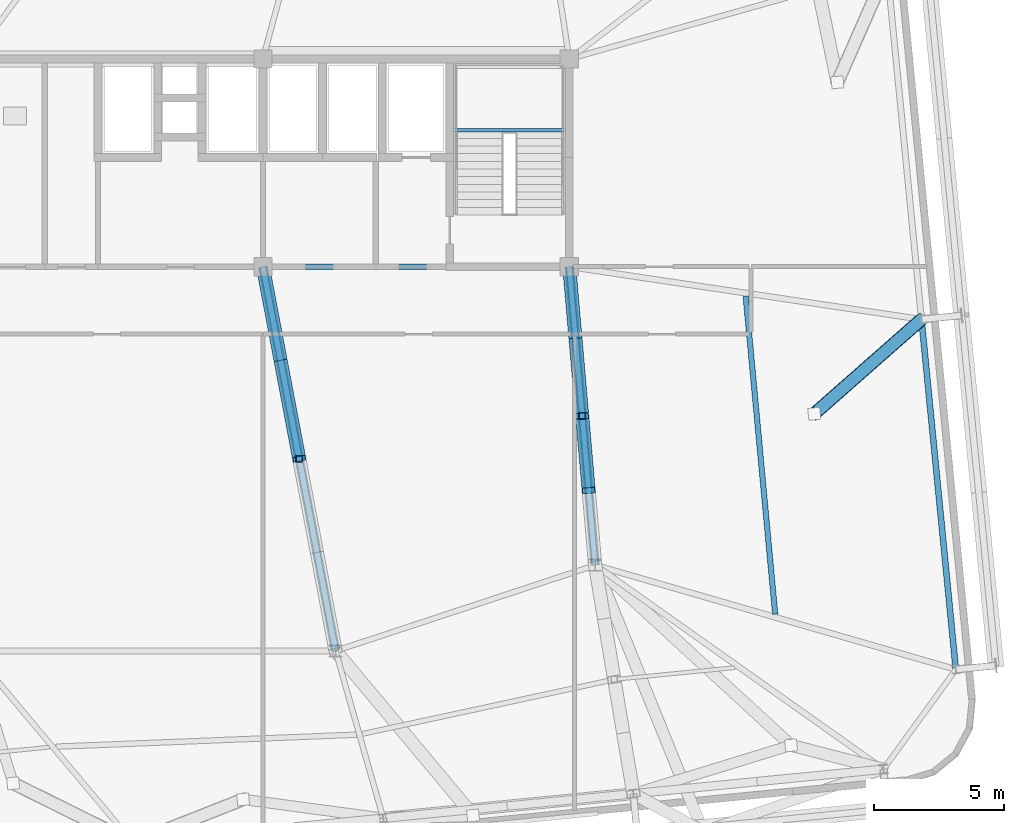
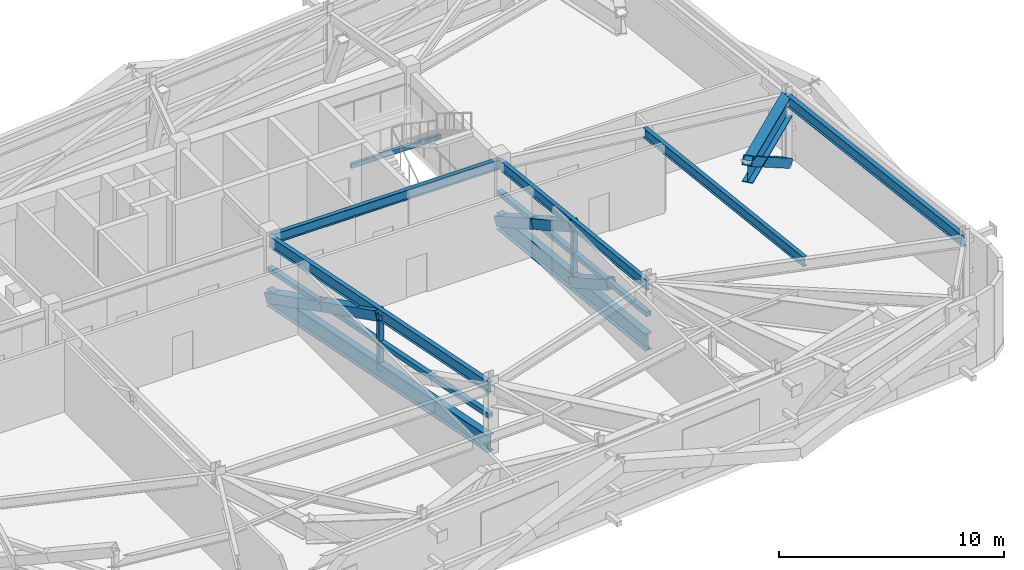
# One storey, part 10 of 24: 14 members, 7 beams.
"""IFC4 building model written with IfcOpenShell, lengths in metres."""

from ifc_helpers import new_model, si_unit, direction, frame, origin, origin_2d, place, context, subcontext, project, spatial, hollow_rectangle, i_section, extrude, source, transform, mapped, material, material_profile, profile_set, type_object, element, save


model = new_model("IFC4")

# Units and contexts
model_context = context("Model", 3, precision=1e-05, world=origin(), true_north=direction((0.0, 1.0)))
body_context = subcontext(model_context, "Body", "Model", "MODEL_VIEW")
ifc_project = project(units=[si_unit("LENGTHUNIT", "METRE"), si_unit("AREAUNIT", "SQUARE_METRE"), si_unit("VOLUMEUNIT", "CUBIC_METRE"), si_unit("PLANEANGLEUNIT", "RADIAN"), si_unit("MASSUNIT", "GRAM", prefix="KILO")], contexts=[model_context])

# Site, building, storey
site_placement = place(None, origin())
site = spatial("IfcSite", under=ifc_project, at=site_placement, CompositionType="ELEMENT")
building_placement = place(site_placement, origin())
building = spatial("IfcBuilding", under=site, at=building_placement, Name="Taldren Reach Tower", CompositionType="ELEMENT")
storey_placement = place(building_placement, frame((0.0, 0.0, 112.35009765625)))
storey = spatial("IfcBuildingStorey", under=building, at=storey_placement, Name="L34", CompositionType="ELEMENT", Elevation=112.35009765625)

# Beams
ifc_material_1 = material(Name="Steel Gr 350 (350PLUS)", Category="steel")
ifc_material_profile_1 = material_profile(ifc_material_1, i_section(OverallWidth=0.208984375, OverallDepth=0.532958984375, WebThickness=0.01025390625, FlangeThickness=0.015625, at=origin_2d()), Name="530UB92.4")
ifc_profile_set_1 = profile_set([ifc_material_profile_1], Name="Steel Gr 350 (350PLUS)")
beam_type_1 = type_object("IfcBeamType", Name="BM-UB530A", PredefinedType="BEAM", material=ifc_profile_set_1)
shared_shape_1 = source(origin(), body_context, "Body", "SweptSolid", [
    extrude(i_section(OverallWidth=0.208984375, OverallDepth=0.532958984375, WebThickness=0.01025390625, FlangeThickness=0.015625, at=origin_2d()), origin(), (0.0, 0.0, 1.0), 11.800048828125),
])
beam_1_placement = place(storey_placement, frame((39.199951171875, 24.0, 3.513427734375), z_axis=(1.0, 0.0, 0.0), x_axis=(0.0, 1.0, 0.0)))
element("IfcBeam", 1, at=beam_1_placement, inside=storey, type_object=beam_type_1, Name="Core-spine girder L34-SP03", PredefinedType="BEAM", context=body_context, shape_type="MappedRepresentation", body=[
    mapped(shared_shape_1, transform((0.0, 0.0, 0.0), scale=1.0)),
])
shared_shape_2 = source(origin(), body_context, "Body", "SweptSolid", [
    extrude(i_section(OverallWidth=0.208984375, OverallDepth=0.532958984375, WebThickness=0.01025390625, FlangeThickness=0.015625, at=origin_2d()), origin(), (0.0, 0.0, 1.0), 11.54345703125),
])
beam_2_placement = place(storey_placement, frame((52.0, 12.5, 3.513427734375), z_axis=(-0.086629616365, 0.996240588196, 0.0), x_axis=(-0.996240588196, -0.086629616365, 0.0)))
element("IfcBeam", 2, at=beam_2_placement, inside=storey, type_object=beam_type_1, Name="Core-spine girder L34-SP13", PredefinedType="BEAM", context=body_context, shape_type="MappedRepresentation", body=[
    mapped(shared_shape_2, transform((0.0, 0.0, 0.0), scale=1.0)),
])
ifc_material_profile_2 = material_profile(ifc_material_1, i_section(OverallWidth=0.22802734375, OverallDepth=0.60205078125, WebThickness=0.010498046875, FlangeThickness=0.014892578125, at=origin_2d()), Name="610UB101")
ifc_profile_set_2 = profile_set([ifc_material_profile_2], Name="Steel Gr 350 (350PLUS)")
beam_type_2 = type_object("IfcBeamType", Name="BM-UB610B", PredefinedType="BEAM", material=ifc_profile_set_2)
shared_shape_3 = source(origin(), body_context, "Body", "SweptSolid", [
    extrude(i_section(OverallWidth=0.22802734375, OverallDepth=0.60205078125, WebThickness=0.010498046875, FlangeThickness=0.014892578125, at=origin_2d()), origin(), (0.0, 0.0, 1.0), 15.0625),
])
beam_3_placement = place(storey_placement, frame((39.199951171875, 24.0, 3.47900390625), z_axis=(0.185894205668, -0.982569765614, 0.0), x_axis=(0.982569765614, 0.185894205668, 0.0)))
element("IfcBeam", 3, at=beam_3_placement, inside=storey, type_object=beam_type_2, Name="Core-spine girder L34-SP15", PredefinedType="BEAM", context=body_context, shape_type="MappedRepresentation", body=[
    mapped(shared_shape_3, transform((0.0, 0.0, 0.0), scale=1.0)),
])

# Members
ifc_material_profile_3 = material_profile(ifc_material_1, i_section(OverallWidth=0.35009765625, OverallDepth=0.916015625, WebThickness=0.013916015625, FlangeThickness=0.028076171875, at=origin_2d()), Name="900WB257")
ifc_profile_set_3 = profile_set([ifc_material_profile_3], Name="Steel Gr 350 (350PLUS)")
member_type_1 = type_object("IfcMemberType", Name="MB-CH900", PredefinedType="CHORD", material=ifc_profile_set_3)
shared_shape_4 = source(origin(), body_context, "Body", "SweptSolid", [
    extrude(i_section(OverallWidth=0.35009765625, OverallDepth=0.916015625, WebThickness=0.013916015625, FlangeThickness=0.028076171875, at=origin_2d()), origin(), (0.0, 0.0, 1.0), 11.54345703125),
])
member_1_placement = place(storey_placement, frame((51.0, 24.0, 0.449951171875), z_axis=(0.086629616365, -0.996240588196, 0.0), x_axis=(0.996240588196, 0.086629616365, 0.0)))
element("IfcMember", 4, at=member_1_placement, inside=storey, type_object=member_type_1, Name="Outrigger Transfer Truss Bottom Chord OT-E1 L34", PredefinedType="CHORD", context=body_context, shape_type="MappedRepresentation", body=[
    mapped(shared_shape_4, transform((0.0, 0.0, 0.0), scale=1.0)),
])
ifc_material_2 = material(Name="Steel Gr 350 (C350L0)", Category="steel")
ifc_material_profile_4 = material_profile(ifc_material_2, hollow_rectangle(XDim=0.25, YDim=0.25, WallThickness=0.010009765625, at=origin_2d()), Name="250x250x10.0SHS")
ifc_profile_set_4 = profile_set([ifc_material_profile_4], Name="Steel Gr 350 (C350L0)")
member_type_2 = type_object("IfcMemberType", Name="MB-POST250", PredefinedType="POST", material=ifc_profile_set_4)
shared_shape_5 = source(origin(), body_context, "Body", "SweptSolid", [
    extrude(hollow_rectangle(XDim=0.25, YDim=0.25, WallThickness=0.010009765625, at=origin_2d()), origin(), (0.0, 0.0, 1.0), 11.54345703125),
])
member_2_placement = place(storey_placement, frame((51.0, 24.0, 1.954833984375), z_axis=(0.086629616365, -0.996240588196, 0.0), x_axis=(0.996240588196, 0.086629616365, 0.0)))
element("IfcMember", 5, at=member_2_placement, inside=storey, type_object=member_type_2, Name="Outrigger Transfer Truss Mid Chord OT-E1 L34", PredefinedType="POST", context=body_context, shape_type="MappedRepresentation", body=[
    mapped(shared_shape_5, transform((0.0, 0.0, 0.0), scale=1.0)),
])
shared_shape_6 = source(origin(), body_context, "Body", "SweptSolid", [
    extrude(hollow_rectangle(XDim=0.25, YDim=0.25, WallThickness=0.010009765625, at=origin_2d()), origin(), (0.0, 0.0, 1.0), 1.5048828125),
])
for number, where, z_axis, x_axis, name in (
    (6, (40.60009765625, 16.60009765625, 0.449951171875), (0.0, 0.0, 1.0), (1.0, 0.0, 0.0), "Outrigger Transfer Truss Vertical Post OT-M2 L34"),
    (7, (51.5, 18.25, 0.449951171875), (0.0, 0.0, 1.0), (1.0, 0.0, 0.0), "Outrigger Transfer Truss Vertical Post OT-E1 L34"),
):
    element("IfcMember", number, at=place(storey_placement, frame(where, z_axis=z_axis, x_axis=x_axis)), inside=storey, type_object=member_type_2, Name=name, PredefinedType="POST", context=body_context, shape_type="MappedRepresentation", body=[
        mapped(shared_shape_6, transform((0.0, 0.0, 0.0), scale=1.0)),
    ])
shared_shape_7 = source(origin(), body_context, "Body", "SweptSolid", [
    extrude(hollow_rectangle(XDim=0.25, YDim=0.25, WallThickness=0.010009765625, at=origin_2d()), origin(), (0.0, 0.0, 1.0), 1.505126953125),
])
for number, where, z_axis, x_axis, name in (
    (8, (40.60009765625, 16.60009765625, 1.954833984375), (0.0, 0.0, 1.0), (1.0, 0.0, 0.0), "Outrigger Transfer Truss Vertical Post OT-M2 L34"),
    (9, (51.5, 18.25, 1.954833984375), (0.0, 0.0, 1.0), (1.0, 0.0, 0.0), "Outrigger Transfer Truss Vertical Post OT-E1 L34"),
):
    element("IfcMember", number, at=place(storey_placement, frame(where, z_axis=z_axis, x_axis=x_axis)), inside=storey, type_object=member_type_2, Name=name, PredefinedType="POST", context=body_context, shape_type="MappedRepresentation", body=[
        mapped(shared_shape_7, transform((0.0, 0.0, 0.0), scale=1.0)),
    ])
ifc_material_3 = material(Name="Steel Gr 450 (C450L0)", Category="steel")
ifc_material_profile_5 = material_profile(ifc_material_3, hollow_rectangle(XDim=0.510009765625, YDim=0.510009765625, WallThickness=0.02001953125, at=origin_2d()), Name="510x510x20.0SHS")
ifc_profile_set_5 = profile_set([ifc_material_profile_5], Name="Steel Gr 450 (C450L0)")
member_type_3 = type_object("IfcMemberType", Name="MB-EXO508", PredefinedType="BRACE", material=ifc_profile_set_5)
shared_shape_8 = source(origin(), body_context, "Body", "SweptSolid", [
    extrude(hollow_rectangle(XDim=0.510009765625, YDim=0.510009765625, WallThickness=0.02001953125, at=origin_2d()), origin(), (0.0, 0.0, 1.0), 3.254638671875),
])
for number, where, z_axis, x_axis, name in (
    (10, (51.0, 24.0, 0.449951171875), (0.076812991328, -0.883349400268, 0.462378201703), (0.996240588196, 0.086629616365, 0.0), "Outrigger Transfer Truss Diagonal OT-E1A L34"),
    (11, (51.5, 18.25, 0.449951171875), (0.076812991328, -0.883349400268, 0.462378201703), (0.996240588196, 0.086629616365, 0.0), "Outrigger Transfer Truss Diagonal OT-E1B L34"),
):
    element("IfcMember", number, at=place(storey_placement, frame(where, z_axis=z_axis, x_axis=x_axis)), inside=storey, type_object=member_type_3, Name=name, PredefinedType="BRACE", context=body_context, shape_type="MappedRepresentation", body=[
        mapped(shared_shape_8, transform((0.0, 0.0, 0.0), scale=1.0)),
    ])
shared_shape_9 = source(origin(), body_context, "Body", "SweptSolid", [
    extrude(hollow_rectangle(XDim=0.510009765625, YDim=0.510009765625, WallThickness=0.02001953125, at=origin_2d()), origin(), (0.0, 0.0, 1.0), 3.2548828125),
])
member_3_placement = place(storey_placement, frame((51.25, 21.125, 1.954833984375), z_axis=(0.076810327051, -0.883318761082, 0.462437174089), x_axis=(0.996240588196, 0.086629616365, 0.0)))
element("IfcMember", 12, at=member_3_placement, inside=storey, type_object=member_type_3, Name="Outrigger Transfer Truss Diagonal OT-E1A L34", PredefinedType="BRACE", context=body_context, shape_type="MappedRepresentation", body=[
    mapped(shared_shape_9, transform((0.0, 0.0, 0.0), scale=1.0)),
])
shared_shape_10 = source(origin(), body_context, "Body", "SweptSolid", [
    extrude(i_section(OverallWidth=0.35009765625, OverallDepth=0.916015625, WebThickness=0.013916015625, FlangeThickness=0.028076171875, at=origin_2d()), origin(), (0.0, 0.0, 1.0), 15.0625),
])
member_4_placement = place(storey_placement, frame((39.199951171875, 24.0, 0.449951171875), z_axis=(0.185894205668, -0.982569765614, 0.0), x_axis=(0.982569765614, 0.185894205668, 0.0)))
element("IfcMember", 13, at=member_4_placement, inside=storey, type_object=member_type_1, Name="Outrigger Transfer Truss Bottom Chord OT-M2 L34", PredefinedType="CHORD", context=body_context, shape_type="MappedRepresentation", body=[
    mapped(shared_shape_10, transform((0.0, 0.0, 0.0), scale=1.0)),
])
shared_shape_11 = source(origin(), body_context, "Body", "SweptSolid", [
    extrude(hollow_rectangle(XDim=0.25, YDim=0.25, WallThickness=0.010009765625, at=origin_2d()), origin(), (0.0, 0.0, 1.0), 15.0625),
])
member_5_placement = place(storey_placement, frame((39.199951171875, 24.0, 1.954833984375), z_axis=(0.185894205668, -0.982569765614, 0.0), x_axis=(0.982569765614, 0.185894205668, 0.0)))
element("IfcMember", 14, at=member_5_placement, inside=storey, type_object=member_type_2, Name="Outrigger Transfer Truss Mid Chord OT-M2 L34", PredefinedType="POST", context=body_context, shape_type="MappedRepresentation", body=[
    mapped(shared_shape_11, transform((0.0, 0.0, 0.0), scale=1.0)),
])
shared_shape_12 = source(origin(), body_context, "Body", "SweptSolid", [
    extrude(hollow_rectangle(XDim=0.510009765625, YDim=0.510009765625, WallThickness=0.02001953125, at=origin_2d()), origin(), (0.0, 0.0, 1.0), 4.05517578125),
])
for number, where, z_axis, x_axis, name in (
    (15, (39.199951171875, 24.0, 0.449951171875), (0.172607955073, -0.91240793831, 0.371104093153), (0.982572166, 0.185881517646, 0.0), "Outrigger Transfer Truss Diagonal OT-M2A L34"),
    (16, (39.89990234375, 20.300048828125, 1.954833984375), (0.172662507643, -0.912378069502, 0.371152147706), (0.982560322582, 0.185944111195, 0.0), "Outrigger Transfer Truss Diagonal OT-M2A L34"),
):
    element("IfcMember", number, at=place(storey_placement, frame(where, z_axis=z_axis, x_axis=x_axis)), inside=storey, type_object=member_type_3, Name=name, PredefinedType="BRACE", context=body_context, shape_type="MappedRepresentation", body=[
        mapped(shared_shape_12, transform((0.0, 0.0, 0.0), scale=1.0)),
    ])

# Beams
shared_shape_13 = source(origin(), body_context, "Body", "SweptSolid", [
    extrude(i_section(OverallWidth=0.22802734375, OverallDepth=0.60205078125, WebThickness=0.010498046875, FlangeThickness=0.014892578125, at=origin_2d()), origin(), (0.0, 0.0, 1.0), 13.550048828125),
])
beam_4_placement = place(storey_placement, frame((65.8916015625, 8.483642578125, 3.47900390625), z_axis=(-0.097566175139, 0.995229039703, 0.0), x_axis=(-0.995229039703, -0.097566175139, 0.0)))
element("IfcBeam", 17, at=beam_4_placement, inside=storey, type_object=beam_type_2, Name="Perimeter gable girder B2 E1-E2 L34", PredefinedType="BEAM", context=body_context, shape_type="MappedRepresentation", body=[
    mapped(shared_shape_13, transform((0.0, 0.0, 0.0), scale=1.0)),
])
shared_shape_14 = source(origin(), body_context, "Body", "SweptSolid", [
    extrude(i_section(OverallWidth=0.208984375, OverallDepth=0.532958984375, WebThickness=0.01025390625, FlangeThickness=0.015625, at=origin_2d()), origin(), (0.0, 0.0, 1.0), 12.306396484375),
])
beam_5_placement = place(storey_placement, frame((58.9345703125, 10.61376953125, 3.513427734375), z_axis=(-0.092546068089, 0.995708403741, 0.0), x_axis=(-0.995708403741, -0.092546068089, 0.0)))
element("IfcBeam", 18, at=beam_5_placement, inside=storey, type_object=beam_type_1, Name="Secondary floor beam B2 J7 L34", PredefinedType="BEAM", context=body_context, shape_type="MappedRepresentation", body=[
    mapped(shared_shape_14, transform((0.0, 0.0, 0.0), scale=1.0)),
])

# Member
ifc_material_profile_6 = material_profile(ifc_material_3, hollow_rectangle(XDim=0.4599609375, YDim=0.4599609375, WallThickness=0.01611328125, at=origin_2d()), Name="460x460x16.0SHS")
ifc_profile_set_6 = profile_set([ifc_material_profile_6], Name="Steel Gr 450 (C450L0)")
member_type_4 = type_object("IfcMemberType", Name="MB-EXO457", PredefinedType="BRACE", material=ifc_profile_set_6)
shared_shape_15 = source(origin(), body_context, "Body", "SweptSolid", [
    extrude(hollow_rectangle(XDim=0.4599609375, YDim=0.4599609375, WallThickness=0.01611328125, at=origin_2d()), origin(), (0.0, 0.0, 1.0), 6.665771484375),
])
member_6_placement = place(storey_placement, frame((64.569580078125, 21.968994140625, 0.02001953125), z_axis=(-0.61978093225, -0.545650415357, 0.564036541582), x_axis=(0.660793858294, -0.750567436572, 0.0)))
element("IfcMember", 19, at=member_6_placement, inside=storey, type_object=member_type_4, Name="Outrigger Belt Truss Transfer Strut TS-B3-E2 L34", PredefinedType="BRACE", context=body_context, shape_type="MappedRepresentation", body=[
    mapped(shared_shape_15, transform((0.0, 0.0, 0.0), scale=1.0)),
])

# Beams
ifc_material_profile_7 = material_profile(ifc_material_1, i_section(OverallWidth=0.5, OverallDepth=1.199951171875, WebThickness=0.01611328125, FlangeThickness=0.0400390625, at=origin_2d()), Name="1200WB455")
ifc_profile_set_7 = profile_set([ifc_material_profile_7], Name="Steel Gr 350 (350PLUS)")
beam_type_3 = type_object("IfcBeamType", Name="BM-WB1200", PredefinedType="BEAM", material=ifc_profile_set_7)
shared_shape_16 = source(origin(), body_context, "Body", "SweptSolid", [
    extrude(i_section(OverallWidth=0.5, OverallDepth=1.199951171875, WebThickness=0.01611328125, FlangeThickness=0.0400390625, at=origin_2d()), origin(), (0.0, 0.0, 1.0), 5.50439453125),
])
beam_6_placement = place(storey_placement, frame((64.569580078125, 21.968994140625, 3.179931640625), z_axis=(-0.750567436572, -0.660793858294, 0.0), x_axis=(0.660793858294, -0.750567436572, 0.0)))
element("IfcBeam", 20, at=beam_6_placement, inside=storey, type_object=beam_type_3, Name="Belt Truss Transfer Girder TG-B3-E2A on L34", PredefinedType="BEAM", context=body_context, shape_type="MappedRepresentation", body=[
    mapped(shared_shape_16, transform((0.0, 0.0, 0.0), scale=1.0)),
])
ifc_material_profile_8 = material_profile(ifc_material_2, hollow_rectangle(XDim=0.14990234375, YDim=0.25, WallThickness=0.009033203125, at=origin_2d()), Name="250x150x9.0RHS")
ifc_profile_set_8 = profile_set([ifc_material_profile_8], Name="Steel Gr 350 (C350L0)")
beam_type_4 = type_object("IfcBeamType", Name="LN-RHS250", PredefinedType="LINTEL", material=ifc_profile_set_8)
shared_shape_17 = source(origin(), body_context, "Body", "SweptSolid", [
    extrude(hollow_rectangle(XDim=0.14990234375, YDim=0.25, WallThickness=0.009033203125, at=origin_2d()), origin(), (0.0, 0.0, 1.0), 4.60009765625),
])
beam_7_placement = place(storey_placement, frame((46.39990234375, 29.2548828125, 1.794921875), z_axis=(1.0, 0.0, 0.0), x_axis=(0.0, 1.0, 0.0)))
element("IfcBeam", 21, at=beam_7_placement, inside=storey, type_object=beam_type_4, Name="Stair half-landing support beam ST2-L34-1", PredefinedType="LINTEL", context=body_context, shape_type="MappedRepresentation", body=[
    mapped(shared_shape_17, transform((0.0, 0.0, 0.0), scale=1.0)),
])

save(model, "model.ifc")
